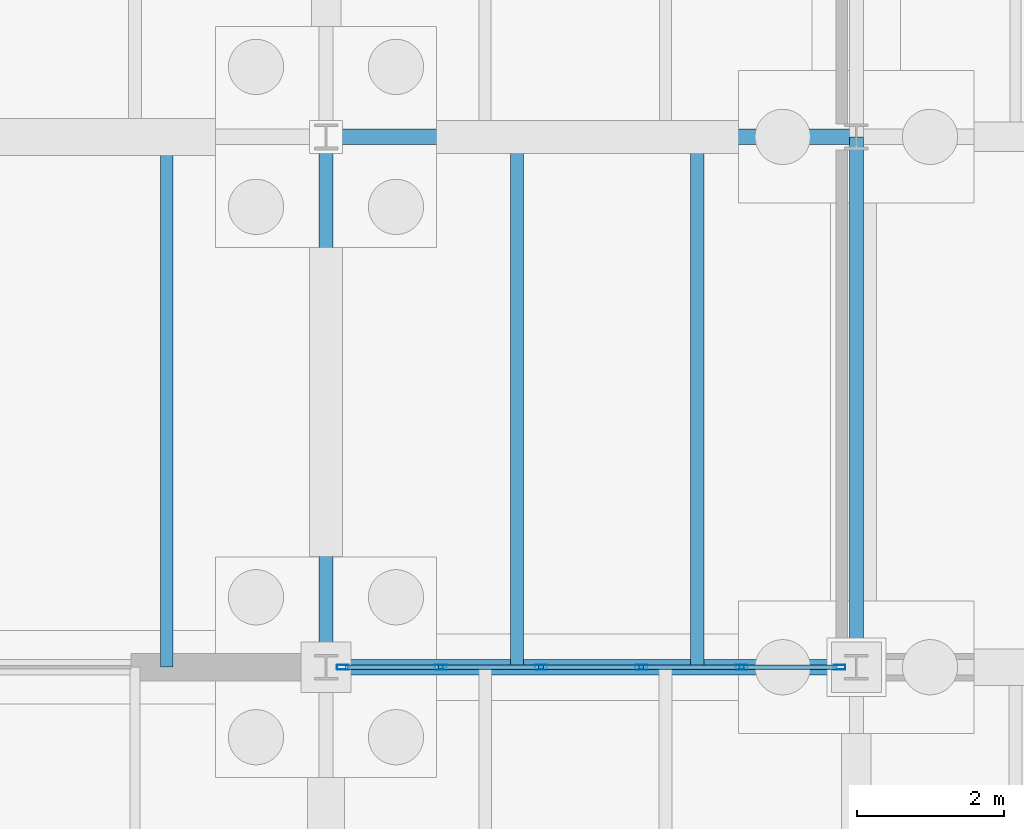
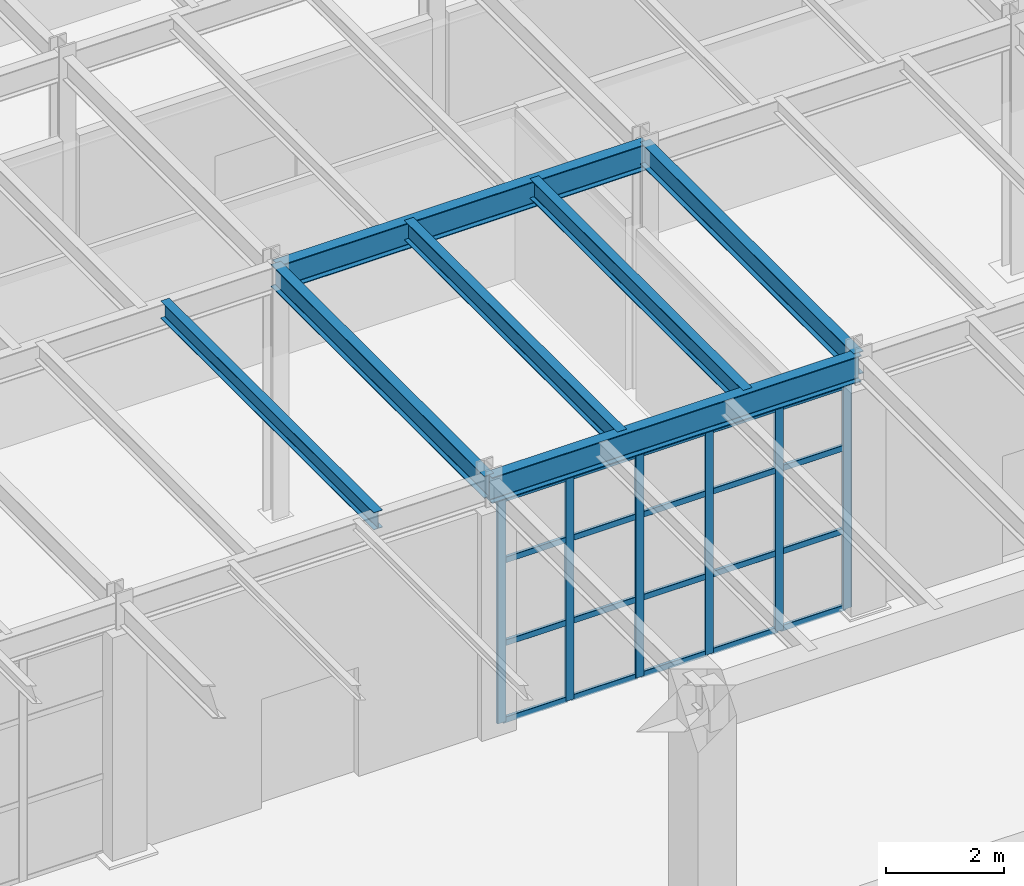
# One storey, part 152 of 293: 26 members, 7 beams, 1 element without a shape of its own.
"""IFC4 building model written with IfcOpenShell, lengths in metres."""

from ifc_helpers import new_model, si_unit, direction, frame, origin, origin_2d, place, context, subcontext, project, spatial, hollow_rectangle, i_section, extrude, material, layer, layer_set, material_profile, profile_set, type_object, element, aggregate, save


model = new_model("IFC4")

# Units and contexts
model_context = context("Model", 3, precision=1e-05, world=origin(), true_north=direction((0.0, 1.0)))
body_context = subcontext(model_context, "Body", "Model", "MODEL_VIEW")
ifc_project = project(units=[si_unit("LENGTHUNIT", "METRE"), si_unit("AREAUNIT", "SQUARE_METRE"), si_unit("VOLUMEUNIT", "CUBIC_METRE"), si_unit("PLANEANGLEUNIT", "RADIAN"), si_unit("MASSUNIT", "GRAM", prefix="KILO")], contexts=[model_context])

# Site, building, storey
site_placement = place(None, origin())
site = spatial("IfcSite", under=ifc_project, at=site_placement, CompositionType="ELEMENT")
building_placement = place(site_placement, origin())
building = spatial("IfcBuilding", under=site, at=building_placement, Name="Kemerveld Promenade Tramway Depot", CompositionType="ELEMENT")
storey_placement = place(building_placement, origin())
storey = spatial("IfcBuildingStorey", under=building, at=storey_placement, Name="L00", CompositionType="ELEMENT", Elevation=0.0)

# Beams
ifc_material_1 = material(Name="Steel S355", Category="steel")
ifc_material_profile_1 = material_profile(ifc_material_1, i_section(OverallWidth=0.2099609375, OverallDepth=0.53662109375, WebThickness=0.0107421875, FlangeThickness=0.017333984375, FilletRadius=0.0126953125, at=origin_2d()), Name="533x210x101 UB")
ifc_profile_set_1 = profile_set([ifc_material_profile_1], Name="Steel S355")
beam_type_1 = type_object("IfcBeamType", Name="BM-G05", PredefinedType="BEAM", material=ifc_profile_set_1)
for number, where, z_axis, x_axis, name in (
    (1, (129.60009765625, 7.199951171875, 4.906494140625), (1.0, 0.0, 0.0), (0.0, 1.0, 0.0), "BMX-L00-19-20-B"),
    (2, (129.60009765625, 14.39990234375, 4.906494140625), (1.0, 0.0, 0.0), (0.0, 1.0, 0.0), "BMX-L00-19-20-C"),
):
    element("IfcBeam", number, at=place(storey_placement, frame(where, z_axis=z_axis, x_axis=x_axis)), inside=storey, type_object=beam_type_1, Name=name, PredefinedType="BEAM", context=body_context, shape_type="SweptSolid", body=[
        extrude(i_section(OverallWidth=0.2099609375, OverallDepth=0.53662109375, WebThickness=0.0107421875, FlangeThickness=0.017333984375, FilletRadius=0.0126953125, at=origin_2d()), origin(), (0.0, 0.0, 1.0), 7.199951171875),
    ])
ifc_material_profile_2 = material_profile(ifc_material_1, i_section(OverallWidth=0.19140625, OverallDepth=0.4599609375, WebThickness=0.010009765625, FlangeThickness=0.01611328125, FilletRadius=0.01025390625, at=origin_2d()), Name="457x191x82 UB")
ifc_profile_set_2 = profile_set([ifc_material_profile_2], Name="Steel S355")
beam_type_2 = type_object("IfcBeamType", Name="BM-G06", PredefinedType="BEAM", material=ifc_profile_set_2)
for number, where, z_axis, x_axis, name in (
    (3, (129.60009765625, 7.199951171875, 4.945068359375), (0.0, 1.0, 0.0), (-1.0, 0.0, 0.0), "BMY-L00-19-B-C"),
    (4, (136.800048828125, 7.199951171875, 4.945068359375), (0.0, 1.0, 0.0), (-1.0, 0.0, 0.0), "BMY-L00-20-B-C"),
):
    element("IfcBeam", number, at=place(storey_placement, frame(where, z_axis=z_axis, x_axis=x_axis)), inside=storey, type_object=beam_type_2, Name=name, PredefinedType="BEAM", context=body_context, shape_type="SweptSolid", body=[
        extrude(i_section(OverallWidth=0.19140625, OverallDepth=0.4599609375, WebThickness=0.010009765625, FlangeThickness=0.01611328125, FilletRadius=0.01025390625, at=origin_2d()), origin(), (0.0, 0.0, 1.0), 7.199951171875),
    ])
ifc_material_profile_3 = material_profile(ifc_material_1, i_section(OverallWidth=0.172119140625, OverallDepth=0.35791015625, WebThickness=0.008056640625, FlangeThickness=0.012939453125, FilletRadius=0.01025390625, at=origin_2d()), Name="356x171x57 UB")
ifc_profile_set_3 = profile_set([ifc_material_profile_3], Name="Steel S355")
beam_type_3 = type_object("IfcBeamType", Name="BM-J04", PredefinedType="JOIST", material=ifc_profile_set_3)
beam_placement = place(storey_placement, frame((127.43994140625, 7.199951171875, 4.99609375), z_axis=(0.0, 1.0, 0.0), x_axis=(-1.0, 0.0, 0.0)))
element("IfcBeam", 5, at=beam_placement, inside=storey, type_object=beam_type_3, Name="JST-L00-18-B-2", PredefinedType="JOIST", context=body_context, shape_type="SweptSolid", body=[
    extrude(i_section(OverallWidth=0.172119140625, OverallDepth=0.35791015625, WebThickness=0.008056640625, FlangeThickness=0.012939453125, FilletRadius=0.01025390625, at=origin_2d()), origin(), (0.0, 0.0, 1.0), 7.199951171875),
])
ifc_material_profile_4 = material_profile(ifc_material_1, i_section(OverallWidth=0.1787109375, OverallDepth=0.409423828125, WebThickness=0.0087890625, FlangeThickness=0.014404296875, FilletRadius=0.01025390625, at=origin_2d()), Name="406x178x67 UB")
ifc_profile_set_4 = profile_set([ifc_material_profile_4], Name="Steel S355")
beam_type_4 = type_object("IfcBeamType", Name="BM-J05", PredefinedType="JOIST", material=ifc_profile_set_4)
for number, where, z_axis, x_axis, name in (
    (6, (132.19189453125, 7.199951171875, 4.97021484375), (0.0, 1.0, 0.0), (-1.0, 0.0, 0.0), "JST-L00-19-B-1"),
    (7, (134.639892578125, 7.199951171875, 4.97021484375), (0.0, 1.0, 0.0), (-1.0, 0.0, 0.0), "JST-L00-19-B-2"),
):
    element("IfcBeam", number, at=place(storey_placement, frame(where, z_axis=z_axis, x_axis=x_axis)), inside=storey, type_object=beam_type_4, Name=name, PredefinedType="JOIST", context=body_context, shape_type="SweptSolid", body=[
        extrude(i_section(OverallWidth=0.1787109375, OverallDepth=0.409423828125, WebThickness=0.0087890625, FlangeThickness=0.014404296875, FilletRadius=0.01025390625, at=origin_2d()), origin(), (0.0, 0.0, 1.0), 7.199951171875),
    ])

# Curtain wall, members
ifc_material_2 = material(Name="Bronze anodised aluminium and solar glass", Category="aluminium")
ifc_layer = layer(ifc_material_2, 0.159912109375)
ifc_layer_set = layer_set([ifc_layer], Name="CW-SYS-07")
curtain_wall_type = type_object("IfcCurtainWallType", Name="CW-SYS-07", PredefinedType="USERDEFINED", material=ifc_layer_set)
curtain_wall_placement = place(storey_placement, origin())
curtain_wall = element("IfcCurtainWall", 8, at=curtain_wall_placement, inside=storey, type_object=curtain_wall_type, Name="CW-L00-V4S-04", ObjectType="GLAZED_CURTAIN_WALL", PredefinedType="USERDEFINED")
ifc_material_3 = material(Name="Bronze anodised aluminium", Category="aluminium")
ifc_material_profile_5 = material_profile(ifc_material_3, hollow_rectangle(XDim=0.06494140625, YDim=0.159912109375, WallThickness=0.00390625, InnerFilletRadius=0.001953125, OuterFilletRadius=0.00390625, at=origin_2d()), Name="CW-MUL-160x65")
ifc_profile_set_5 = profile_set([ifc_material_profile_5], Name="Bronze anodised aluminium")
member_type_1 = type_object("IfcMemberType", Name="CW-MUL-A", PredefinedType="MULLION", material=ifc_profile_set_5)
member_1_placement = place(storey_placement, frame((136.5712890625, 7.199951171875, 0.0), z_axis=(0.0, 0.0, 1.0), x_axis=(0.0, -1.0, 0.0)))
member_1 = element("IfcMember", 9, at=member_1_placement, type_object=member_type_1, Name="CW07 mullion 1", PredefinedType="MULLION", context=body_context, shape_type="SweptSolid", body=[
    extrude(hollow_rectangle(XDim=0.06494140625, YDim=0.159912109375, WallThickness=0.00390625, InnerFilletRadius=0.001953125, OuterFilletRadius=0.00390625, at=origin_2d()), origin(), (0.0, 0.0, 1.0), 4.618408203125),
])
member_2_placement = place(storey_placement, frame((135.2421875, 7.199951171875, 0.0), z_axis=(0.0, 0.0, 1.0), x_axis=(0.0, -1.0, 0.0)))
member_2 = element("IfcMember", 10, at=member_2_placement, type_object=member_type_1, Name="CW07 mullion 2", PredefinedType="MULLION", context=body_context, shape_type="SweptSolid", body=[
    extrude(hollow_rectangle(XDim=0.06494140625, YDim=0.159912109375, WallThickness=0.00390625, InnerFilletRadius=0.001953125, OuterFilletRadius=0.00390625, at=origin_2d()), origin(), (0.0, 0.0, 1.0), 4.618408203125),
])
member_3_placement = place(storey_placement, frame((133.880859375, 7.199951171875, 0.0), z_axis=(0.0, 0.0, 1.0), x_axis=(0.0, -1.0, 0.0)))
member_3 = element("IfcMember", 11, at=member_3_placement, type_object=member_type_1, Name="CW07 mullion 3", PredefinedType="MULLION", context=body_context, shape_type="SweptSolid", body=[
    extrude(hollow_rectangle(XDim=0.06494140625, YDim=0.159912109375, WallThickness=0.00390625, InnerFilletRadius=0.001953125, OuterFilletRadius=0.00390625, at=origin_2d()), origin(), (0.0, 0.0, 1.0), 4.618408203125),
])
member_4_placement = place(storey_placement, frame((132.519287109375, 7.199951171875, 0.0), z_axis=(0.0, 0.0, 1.0), x_axis=(0.0, -1.0, 0.0)))
member_4 = element("IfcMember", 12, at=member_4_placement, type_object=member_type_1, Name="CW07 mullion 4", PredefinedType="MULLION", context=body_context, shape_type="SweptSolid", body=[
    extrude(hollow_rectangle(XDim=0.06494140625, YDim=0.159912109375, WallThickness=0.00390625, InnerFilletRadius=0.001953125, OuterFilletRadius=0.00390625, at=origin_2d()), origin(), (0.0, 0.0, 1.0), 4.618408203125),
])
member_5_placement = place(storey_placement, frame((131.15771484375, 7.199951171875, 0.0), z_axis=(0.0, 0.0, 1.0), x_axis=(0.0, -1.0, 0.0)))
member_5 = element("IfcMember", 13, at=member_5_placement, type_object=member_type_1, Name="CW07 mullion 5", PredefinedType="MULLION", context=body_context, shape_type="SweptSolid", body=[
    extrude(hollow_rectangle(XDim=0.06494140625, YDim=0.159912109375, WallThickness=0.00390625, InnerFilletRadius=0.001953125, OuterFilletRadius=0.00390625, at=origin_2d()), origin(), (0.0, 0.0, 1.0), 4.618408203125),
])
member_6_placement = place(storey_placement, frame((129.82861328125, 7.199951171875, 0.0), z_axis=(0.0, 0.0, 1.0), x_axis=(0.0, -1.0, 0.0)))
member_6 = element("IfcMember", 14, at=member_6_placement, type_object=member_type_1, Name="CW07 mullion 6", PredefinedType="MULLION", context=body_context, shape_type="SweptSolid", body=[
    extrude(hollow_rectangle(XDim=0.06494140625, YDim=0.159912109375, WallThickness=0.00390625, InnerFilletRadius=0.001953125, OuterFilletRadius=0.00390625, at=origin_2d()), origin(), (0.0, 0.0, 1.0), 4.618408203125),
])
ifc_material_profile_6 = material_profile(ifc_material_3, hollow_rectangle(XDim=0.06005859375, YDim=0.1201171875, WallThickness=0.00390625, InnerFilletRadius=0.001953125, OuterFilletRadius=0.00390625, at=origin_2d()), Name="CW-TRN-120x60")
ifc_profile_set_6 = profile_set([ifc_material_profile_6], Name="Bronze anodised aluminium")
member_type_2 = type_object("IfcMemberType", Name="CW-TRN-A", PredefinedType="USERDEFINED", material=ifc_profile_set_6)
member_7_placement = place(storey_placement, frame((136.538818359375, 7.199951171875, 0.030029296875), z_axis=(-1.0, 0.0, 0.0), x_axis=(0.0, -1.0, 0.0)))
member_7 = element("IfcMember", 15, at=member_7_placement, type_object=member_type_2, Name="CW07 transom 1.1", ObjectType="TRANSOM", PredefinedType="USERDEFINED", context=body_context, shape_type="SweptSolid", body=[
    extrude(hollow_rectangle(XDim=0.06005859375, YDim=0.1201171875, WallThickness=0.00390625, InnerFilletRadius=0.001953125, OuterFilletRadius=0.00390625, at=origin_2d()), origin(), (0.0, 0.0, 1.0), 1.26416015625),
])
member_8_placement = place(storey_placement, frame((136.538818359375, 7.199951171875, 1.615966796875), z_axis=(-1.0, 0.0, 0.0), x_axis=(0.0, -1.0, 0.0)))
member_8 = element("IfcMember", 16, at=member_8_placement, type_object=member_type_2, Name="CW07 transom 1.2", ObjectType="TRANSOM", PredefinedType="USERDEFINED", context=body_context, shape_type="SweptSolid", body=[
    extrude(hollow_rectangle(XDim=0.06005859375, YDim=0.1201171875, WallThickness=0.00390625, InnerFilletRadius=0.001953125, OuterFilletRadius=0.00390625, at=origin_2d()), origin(), (0.0, 0.0, 1.0), 1.26416015625),
])
member_9_placement = place(storey_placement, frame((136.538818359375, 7.199951171875, 3.324951171875), z_axis=(-1.0, 0.0, 0.0), x_axis=(0.0, -1.0, 0.0)))
member_9 = element("IfcMember", 17, at=member_9_placement, type_object=member_type_2, Name="CW07 transom 1.3", ObjectType="TRANSOM", PredefinedType="USERDEFINED", context=body_context, shape_type="SweptSolid", body=[
    extrude(hollow_rectangle(XDim=0.06005859375, YDim=0.1201171875, WallThickness=0.00390625, InnerFilletRadius=0.001953125, OuterFilletRadius=0.00390625, at=origin_2d()), origin(), (0.0, 0.0, 1.0), 1.26416015625),
])
member_10_placement = place(storey_placement, frame((136.538818359375, 7.199951171875, 4.58837890625), z_axis=(-1.0, 0.0, 0.0), x_axis=(0.0, -1.0, 0.0)))
member_10 = element("IfcMember", 18, at=member_10_placement, type_object=member_type_2, Name="CW07 transom 1.4", ObjectType="TRANSOM", PredefinedType="USERDEFINED", context=body_context, shape_type="SweptSolid", body=[
    extrude(hollow_rectangle(XDim=0.06005859375, YDim=0.1201171875, WallThickness=0.00390625, InnerFilletRadius=0.001953125, OuterFilletRadius=0.00390625, at=origin_2d()), origin(), (0.0, 0.0, 1.0), 1.26416015625),
])
member_11_placement = place(storey_placement, frame((135.209716796875, 7.199951171875, 0.030029296875), z_axis=(-1.0, 0.0, 0.0), x_axis=(0.0, -1.0, 0.0)))
member_11 = element("IfcMember", 19, at=member_11_placement, type_object=member_type_2, Name="CW07 transom 2.1", ObjectType="TRANSOM", PredefinedType="USERDEFINED", context=body_context, shape_type="SweptSolid", body=[
    extrude(hollow_rectangle(XDim=0.06005859375, YDim=0.1201171875, WallThickness=0.00390625, InnerFilletRadius=0.001953125, OuterFilletRadius=0.00390625, at=origin_2d()), origin(), (0.0, 0.0, 1.0), 1.29638671875),
])
member_12_placement = place(storey_placement, frame((135.209716796875, 7.199951171875, 1.615966796875), z_axis=(-1.0, 0.0, 0.0), x_axis=(0.0, -1.0, 0.0)))
member_12 = element("IfcMember", 20, at=member_12_placement, type_object=member_type_2, Name="CW07 transom 2.2", ObjectType="TRANSOM", PredefinedType="USERDEFINED", context=body_context, shape_type="SweptSolid", body=[
    extrude(hollow_rectangle(XDim=0.06005859375, YDim=0.1201171875, WallThickness=0.00390625, InnerFilletRadius=0.001953125, OuterFilletRadius=0.00390625, at=origin_2d()), origin(), (0.0, 0.0, 1.0), 1.29638671875),
])
member_13_placement = place(storey_placement, frame((135.209716796875, 7.199951171875, 3.324951171875), z_axis=(-1.0, 0.0, 0.0), x_axis=(0.0, -1.0, 0.0)))
member_13 = element("IfcMember", 21, at=member_13_placement, type_object=member_type_2, Name="CW07 transom 2.3", ObjectType="TRANSOM", PredefinedType="USERDEFINED", context=body_context, shape_type="SweptSolid", body=[
    extrude(hollow_rectangle(XDim=0.06005859375, YDim=0.1201171875, WallThickness=0.00390625, InnerFilletRadius=0.001953125, OuterFilletRadius=0.00390625, at=origin_2d()), origin(), (0.0, 0.0, 1.0), 1.29638671875),
])
member_14_placement = place(storey_placement, frame((135.209716796875, 7.199951171875, 4.58837890625), z_axis=(-1.0, 0.0, 0.0), x_axis=(0.0, -1.0, 0.0)))
member_14 = element("IfcMember", 22, at=member_14_placement, type_object=member_type_2, Name="CW07 transom 2.4", ObjectType="TRANSOM", PredefinedType="USERDEFINED", context=body_context, shape_type="SweptSolid", body=[
    extrude(hollow_rectangle(XDim=0.06005859375, YDim=0.1201171875, WallThickness=0.00390625, InnerFilletRadius=0.001953125, OuterFilletRadius=0.00390625, at=origin_2d()), origin(), (0.0, 0.0, 1.0), 1.29638671875),
])
member_15_placement = place(storey_placement, frame((133.84814453125, 7.199951171875, 0.030029296875), z_axis=(-1.0, 0.0, 0.0), x_axis=(0.0, -1.0, 0.0)))
member_15 = element("IfcMember", 23, at=member_15_placement, type_object=member_type_2, Name="CW07 transom 3.1", ObjectType="TRANSOM", PredefinedType="USERDEFINED", context=body_context, shape_type="SweptSolid", body=[
    extrude(hollow_rectangle(XDim=0.06005859375, YDim=0.1201171875, WallThickness=0.00390625, InnerFilletRadius=0.001953125, OuterFilletRadius=0.00390625, at=origin_2d()), origin(), (0.0, 0.0, 1.0), 1.29638671875),
])
member_16_placement = place(storey_placement, frame((133.84814453125, 7.199951171875, 1.615966796875), z_axis=(-1.0, 0.0, 0.0), x_axis=(0.0, -1.0, 0.0)))
member_16 = element("IfcMember", 24, at=member_16_placement, type_object=member_type_2, Name="CW07 transom 3.2", ObjectType="TRANSOM", PredefinedType="USERDEFINED", context=body_context, shape_type="SweptSolid", body=[
    extrude(hollow_rectangle(XDim=0.06005859375, YDim=0.1201171875, WallThickness=0.00390625, InnerFilletRadius=0.001953125, OuterFilletRadius=0.00390625, at=origin_2d()), origin(), (0.0, 0.0, 1.0), 1.29638671875),
])
member_17_placement = place(storey_placement, frame((133.84814453125, 7.199951171875, 3.324951171875), z_axis=(-1.0, 0.0, 0.0), x_axis=(0.0, -1.0, 0.0)))
member_17 = element("IfcMember", 25, at=member_17_placement, type_object=member_type_2, Name="CW07 transom 3.3", ObjectType="TRANSOM", PredefinedType="USERDEFINED", context=body_context, shape_type="SweptSolid", body=[
    extrude(hollow_rectangle(XDim=0.06005859375, YDim=0.1201171875, WallThickness=0.00390625, InnerFilletRadius=0.001953125, OuterFilletRadius=0.00390625, at=origin_2d()), origin(), (0.0, 0.0, 1.0), 1.29638671875),
])
member_18_placement = place(storey_placement, frame((133.84814453125, 7.199951171875, 4.58837890625), z_axis=(-1.0, 0.0, 0.0), x_axis=(0.0, -1.0, 0.0)))
member_18 = element("IfcMember", 26, at=member_18_placement, type_object=member_type_2, Name="CW07 transom 3.4", ObjectType="TRANSOM", PredefinedType="USERDEFINED", context=body_context, shape_type="SweptSolid", body=[
    extrude(hollow_rectangle(XDim=0.06005859375, YDim=0.1201171875, WallThickness=0.00390625, InnerFilletRadius=0.001953125, OuterFilletRadius=0.00390625, at=origin_2d()), origin(), (0.0, 0.0, 1.0), 1.29638671875),
])
member_19_placement = place(storey_placement, frame((132.48681640625, 7.199951171875, 0.030029296875), z_axis=(-1.0, 0.0, 0.0), x_axis=(0.0, -1.0, 0.0)))
member_19 = element("IfcMember", 27, at=member_19_placement, type_object=member_type_2, Name="CW07 transom 4.1", ObjectType="TRANSOM", PredefinedType="USERDEFINED", context=body_context, shape_type="SweptSolid", body=[
    extrude(hollow_rectangle(XDim=0.06005859375, YDim=0.1201171875, WallThickness=0.00390625, InnerFilletRadius=0.001953125, OuterFilletRadius=0.00390625, at=origin_2d()), origin(), (0.0, 0.0, 1.0), 1.296630859375),
])
member_20_placement = place(storey_placement, frame((132.48681640625, 7.199951171875, 1.615966796875), z_axis=(-1.0, 0.0, 0.0), x_axis=(0.0, -1.0, 0.0)))
member_20 = element("IfcMember", 28, at=member_20_placement, type_object=member_type_2, Name="CW07 transom 4.2", ObjectType="TRANSOM", PredefinedType="USERDEFINED", context=body_context, shape_type="SweptSolid", body=[
    extrude(hollow_rectangle(XDim=0.06005859375, YDim=0.1201171875, WallThickness=0.00390625, InnerFilletRadius=0.001953125, OuterFilletRadius=0.00390625, at=origin_2d()), origin(), (0.0, 0.0, 1.0), 1.296630859375),
])
member_21_placement = place(storey_placement, frame((132.48681640625, 7.199951171875, 3.324951171875), z_axis=(-1.0, 0.0, 0.0), x_axis=(0.0, -1.0, 0.0)))
member_21 = element("IfcMember", 29, at=member_21_placement, type_object=member_type_2, Name="CW07 transom 4.3", ObjectType="TRANSOM", PredefinedType="USERDEFINED", context=body_context, shape_type="SweptSolid", body=[
    extrude(hollow_rectangle(XDim=0.06005859375, YDim=0.1201171875, WallThickness=0.00390625, InnerFilletRadius=0.001953125, OuterFilletRadius=0.00390625, at=origin_2d()), origin(), (0.0, 0.0, 1.0), 1.296630859375),
])
member_22_placement = place(storey_placement, frame((132.48681640625, 7.199951171875, 4.58837890625), z_axis=(-1.0, 0.0, 0.0), x_axis=(0.0, -1.0, 0.0)))
member_22 = element("IfcMember", 30, at=member_22_placement, type_object=member_type_2, Name="CW07 transom 4.4", ObjectType="TRANSOM", PredefinedType="USERDEFINED", context=body_context, shape_type="SweptSolid", body=[
    extrude(hollow_rectangle(XDim=0.06005859375, YDim=0.1201171875, WallThickness=0.00390625, InnerFilletRadius=0.001953125, OuterFilletRadius=0.00390625, at=origin_2d()), origin(), (0.0, 0.0, 1.0), 1.296630859375),
])
member_23_placement = place(storey_placement, frame((131.125244140625, 7.199951171875, 0.030029296875), z_axis=(-1.0, 0.0, 0.0), x_axis=(0.0, -1.0, 0.0)))
member_23 = element("IfcMember", 31, at=member_23_placement, type_object=member_type_2, Name="CW07 transom 5.1", ObjectType="TRANSOM", PredefinedType="USERDEFINED", context=body_context, shape_type="SweptSolid", body=[
    extrude(hollow_rectangle(XDim=0.06005859375, YDim=0.1201171875, WallThickness=0.00390625, InnerFilletRadius=0.001953125, OuterFilletRadius=0.00390625, at=origin_2d()), origin(), (0.0, 0.0, 1.0), 1.26416015625),
])
member_24_placement = place(storey_placement, frame((131.125244140625, 7.199951171875, 1.615966796875), z_axis=(-1.0, 0.0, 0.0), x_axis=(0.0, -1.0, 0.0)))
member_24 = element("IfcMember", 32, at=member_24_placement, type_object=member_type_2, Name="CW07 transom 5.2", ObjectType="TRANSOM", PredefinedType="USERDEFINED", context=body_context, shape_type="SweptSolid", body=[
    extrude(hollow_rectangle(XDim=0.06005859375, YDim=0.1201171875, WallThickness=0.00390625, InnerFilletRadius=0.001953125, OuterFilletRadius=0.00390625, at=origin_2d()), origin(), (0.0, 0.0, 1.0), 1.26416015625),
])
member_25_placement = place(storey_placement, frame((131.125244140625, 7.199951171875, 3.324951171875), z_axis=(-1.0, 0.0, 0.0), x_axis=(0.0, -1.0, 0.0)))
member_25 = element("IfcMember", 33, at=member_25_placement, type_object=member_type_2, Name="CW07 transom 5.3", ObjectType="TRANSOM", PredefinedType="USERDEFINED", context=body_context, shape_type="SweptSolid", body=[
    extrude(hollow_rectangle(XDim=0.06005859375, YDim=0.1201171875, WallThickness=0.00390625, InnerFilletRadius=0.001953125, OuterFilletRadius=0.00390625, at=origin_2d()), origin(), (0.0, 0.0, 1.0), 1.26416015625),
])
member_26_placement = place(storey_placement, frame((131.125244140625, 7.199951171875, 4.58837890625), z_axis=(-1.0, 0.0, 0.0), x_axis=(0.0, -1.0, 0.0)))
member_26 = element("IfcMember", 34, at=member_26_placement, type_object=member_type_2, Name="CW07 transom 5.4", ObjectType="TRANSOM", PredefinedType="USERDEFINED", context=body_context, shape_type="SweptSolid", body=[
    extrude(hollow_rectangle(XDim=0.06005859375, YDim=0.1201171875, WallThickness=0.00390625, InnerFilletRadius=0.001953125, OuterFilletRadius=0.00390625, at=origin_2d()), origin(), (0.0, 0.0, 1.0), 1.26416015625),
])
aggregate(curtain_wall, [member_1, member_2, member_3, member_4, member_5, member_6, member_7, member_8, member_9, member_10, member_11, member_12, member_13, member_14, member_15, member_16, member_17, member_18, member_19, member_20, member_21, member_22, member_23, member_24, member_25, member_26])

save(model, "model.ifc")
